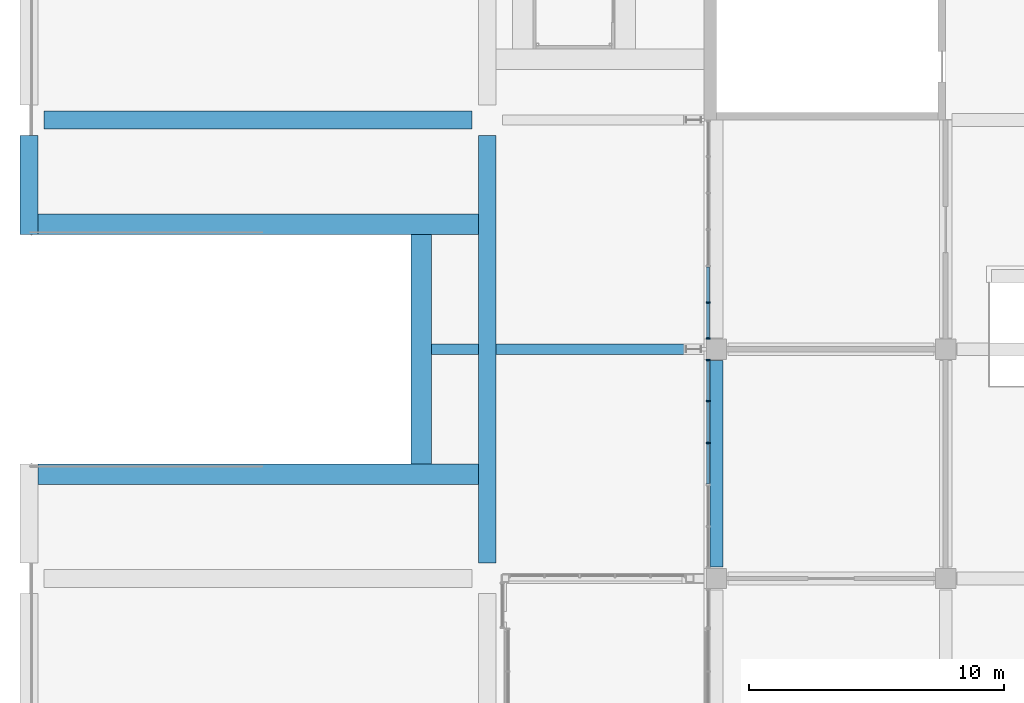
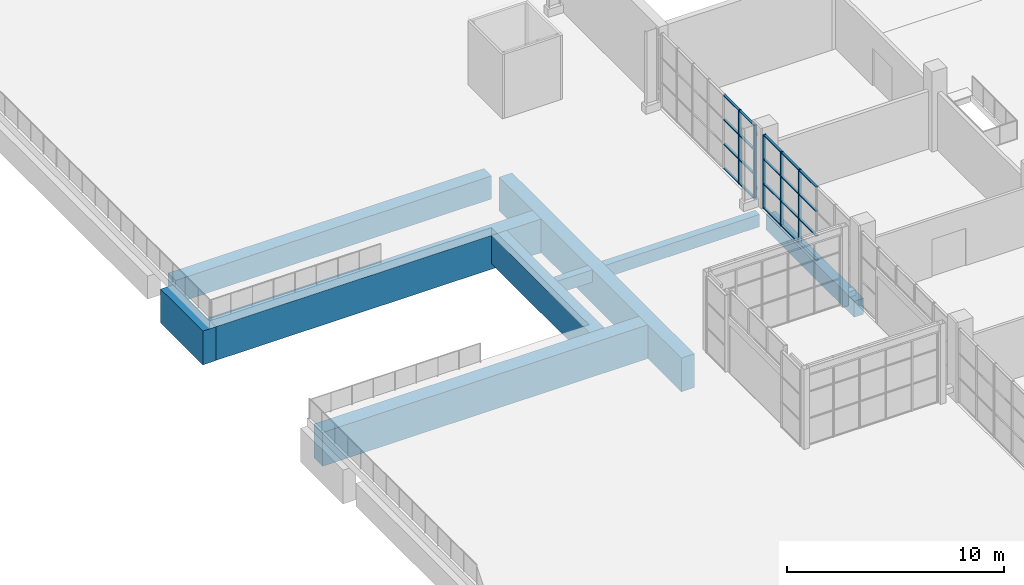
# One storey, part 40 of 168: 25 members, 9 beams, 2 elements without a shape of their own.
"""IFC4 building model written with IfcOpenShell, lengths in metres."""

import ifcopenshell
import ifcopenshell.guid

model = None  # the IFC model being written
_history = None  # IfcOwnerHistory: only IFC2X3 demands one
_inside = {}  # id of a spatial element -> (the spatial element, [elements in it])
_under = {}  # id of a project, library or spatial element -> (it, [spatial elements below it])
_declared = {}  # id of a project -> (the project, [libraries it declares])
_typed = {}  # id of a type object -> (the type object, [elements of that type])
_made_of = {}  # id of a material, layer set ... -> (it, [elements and type objects made of it])


def new_model(schema):
    """Start an empty IFC model of exactly this schema.

    Asked for "IFC4X3", IfcOpenShell would pick the latest addendum, in which some entities
    have other attributes; the version numbers below select the first issue.
    IFC2X3 requires an IfcOwnerHistory on every rooted entity: one is made here for all.
    """
    global model, _history
    if schema == "IFC4X3":
        model = ifcopenshell.file(schema_version=(4, 3, 0, 0))
    else:
        model = ifcopenshell.file(schema=schema)
    _inside.clear()
    _under.clear()
    _declared.clear()
    _typed.clear()
    _made_of.clear()
    _history = None
    if model.schema == "IFC2X3":
        org = make("IfcOrganization", Name="unknown")
        user = make(
            "IfcPersonAndOrganization",
            ThePerson=make("IfcPerson", FamilyName="unknown"),
            TheOrganization=org,
        )
        app = make(
            "IfcApplication",
            ApplicationDeveloper=org,
            Version="unknown",
            ApplicationFullName="unknown",
            ApplicationIdentifier="unknown",
        )
        _history = make(
            "IfcOwnerHistory",
            OwningUser=user,
            OwningApplication=app,
            ChangeAction="ADDED",
            CreationDate=0,
        )
    return model


def make(cls, **values):
    """One entity of the class cls with the attributes given. An attribute that is None is left unset."""
    return model.create_entity(
        cls, **{name: value for name, value in values.items() if value is not None}
    )


def rooted(cls, **values):
    """An entity with a GlobalId (a new one), such as an element, a storey or a relation."""
    return make(cls, GlobalId=ifcopenshell.guid.new(), OwnerHistory=_history, **values)


def si_unit(unit_type, name, prefix=None):
    """IfcSIUnit, for example si_unit("LENGTHUNIT", "METRE", prefix="MILLI")."""
    return make("IfcSIUnit", UnitType=unit_type, Prefix=prefix, Name=name)


def assignment(units):
    """IfcUnitAssignment: the units of a project."""
    return None if units is None else make("IfcUnitAssignment", Units=units)


def point(xyz):
    """IfcCartesianPoint."""
    return None if xyz is None else make("IfcCartesianPoint", Coordinates=xyz)


def direction(xyz):
    """IfcDirection."""
    return None if xyz is None else make("IfcDirection", DirectionRatios=xyz)


def frame(location, z_axis=None, x_axis=None):
    """IfcAxis2Placement3D, a coordinate frame: its origin and axes. An axis left out is left unset."""
    return make(
        "IfcAxis2Placement3D",
        Location=point(location),
        Axis=direction(z_axis),
        RefDirection=direction(x_axis),
    )


def frame_2d(location, x_axis=None):
    """IfcAxis2Placement2D, a coordinate frame in the plane: its origin and x axis."""
    return make(
        "IfcAxis2Placement2D", Location=point(location), RefDirection=direction(x_axis)
    )


def origin():
    """The frame at (0, 0, 0) with its axes left unset."""
    return frame((0.0, 0.0, 0.0))


def origin_2d():
    """The frame at (0, 0) in the plane with its x axis left unset."""
    return frame_2d((0.0, 0.0))


def place(relative_to, where):
    """IfcLocalPlacement: puts the frame where relative to a parent placement (None: the world)."""
    return make(
        "IfcLocalPlacement", PlacementRelTo=relative_to, RelativePlacement=where
    )


def context(
    kind, dimensions, precision=None, world=None, true_north=None, identifier=None
):
    """IfcGeometricRepresentationContext, for example the 3D "Model" context."""
    return make(
        "IfcGeometricRepresentationContext",
        ContextIdentifier=identifier,
        ContextType=kind,
        CoordinateSpaceDimension=dimensions,
        Precision=precision,
        WorldCoordinateSystem=world,
        TrueNorth=true_north,
    )


def subcontext(parent, identifier, kind, view, scale=None):
    """IfcGeometricRepresentationSubContext, for example "Body" below "Model"."""
    return make(
        "IfcGeometricRepresentationSubContext",
        ContextIdentifier=identifier,
        ContextType=kind,
        ParentContext=parent,
        TargetScale=scale,
        TargetView=view,
    )


def project(units=None, contexts=None):
    """IfcProject with its units and contexts."""
    return rooted(
        "IfcProject",
        Name="project",
        RepresentationContexts=contexts,
        UnitsInContext=assignment(units),
    )


def spatial(cls, under=None, at=None, **own):
    """A site, building, storey or space (cls), placed at a placement, below another one or the project."""
    s = rooted(cls, ObjectPlacement=at, **own)
    if under is not None:
        _under.setdefault(under.id(), (under, []))[1].append(s)
    return s


def profile(cls, at=None, kind="AREA", **sizes):
    """A parametric profile (cls). Its sizes go by their IFC names, for example OverallWidth=200.0."""
    return make(cls, ProfileType=kind, Position=at, **sizes)


def rectangle(**sizes):
    """IfcRectangleProfileDef."""
    return profile("IfcRectangleProfileDef", **sizes)


def extrude(swept, where, along, depth):
    """IfcExtrudedAreaSolid: the profile swept, set in the frame where, extruded along a direction by depth."""
    return make(
        "IfcExtrudedAreaSolid",
        SweptArea=swept,
        Position=where,
        ExtrudedDirection=direction(along),
        Depth=depth,
    )


def shape(context_of_items, identifier, shape_type, items):
    """IfcShapeRepresentation: the items that make up one representation, for example the "Body"."""
    return make(
        "IfcShapeRepresentation",
        ContextOfItems=context_of_items,
        RepresentationIdentifier=identifier,
        RepresentationType=shape_type,
        Items=items,
    )


def material(Name=None, Category=None):
    """IfcMaterial."""
    return make("IfcMaterial", Name=Name, Category=Category)


def material_profile(
    of_material, cross_section, Name=None, Category=None, Priority=None
):
    """IfcMaterialProfile: a cross section and its material."""
    return make(
        "IfcMaterialProfile",
        Name=Name,
        Material=of_material,
        Profile=cross_section,
        Priority=Priority,
        Category=Category,
    )


def profile_set(profiles, Name=None, composite=None):
    """IfcMaterialProfileSet."""
    return make(
        "IfcMaterialProfileSet",
        Name=Name,
        MaterialProfiles=profiles,
        CompositeProfile=composite,
    )


def made_of(thing, what):
    """Note that an element or type object is made of a material, layer set ...; save() writes the relation."""
    if what is not None:
        _made_of.setdefault(what.id(), (what, []))[1].append(thing)
    return thing


def type_object(cls, material=None, **own):
    """A type object (cls), such as IfcWallType, which elements share."""
    return made_of(rooted(cls, **own), material)


def element(
    cls,
    number,
    at=None,
    inside=None,
    cuts=None,
    type_object=None,
    material=None,
    context=None,
    identifier="Body",
    shape_type=None,
    held_by="IfcProductDefinitionShape",
    body=None,
    shapes=None,
    **own,
):
    """One element of the class cls, such as IfcWall. Its Tag is "e" and its number.

    at: its placement. inside: the storey or other place that contains it. cuts: it is an
    opening in that element (IfcRelVoidsElement). A single representation is given by context,
    identifier, shape_type and body (its items); several are given by shapes. held_by: the class
    of the entity that holds the representations. save() writes the other relations.
    """
    e = rooted(cls, Tag="e%d" % number, ObjectPlacement=at, **own)
    if body is not None:
        shapes = [shape(context, identifier, shape_type, body)]
    if shapes is not None:
        e.Representation = make(held_by, Representations=shapes)
    if inside is not None:
        _inside.setdefault(inside.id(), (inside, []))[1].append(e)
    if cuts is not None:
        rooted(
            "IfcRelVoidsElement", RelatingBuildingElement=cuts, RelatedOpeningElement=e
        )
    if type_object is not None:
        _typed.setdefault(type_object.id(), (type_object, []))[1].append(e)
    return made_of(e, material)


def aggregate(whole, parts):
    """IfcRelAggregates: a whole, such as a stair, and the parts it consists of."""
    return rooted("IfcRelAggregates", RelatingObject=whole, RelatedObjects=parts)


def save(model, path):
    """Write the relations noted so far, then the file.

    IfcRelAggregates (storeys below a building ...), IfcRelContainedInSpatialStructure (elements
    in a storey), IfcRelDefinesByType, IfcRelAssociatesMaterial and IfcRelDeclares: one each for
    every whole, place, type object, material and project.
    """
    for whole, parts in _under.values():
        aggregate(whole, parts)
    for where, things in _inside.values():
        rooted(
            "IfcRelContainedInSpatialStructure",
            RelatedElements=things,
            RelatingStructure=where,
        )
    for kind, things in _typed.values():
        rooted("IfcRelDefinesByType", RelatedObjects=things, RelatingType=kind)
    for what, things in _made_of.values():
        rooted("IfcRelAssociatesMaterial", RelatedObjects=things, RelatingMaterial=what)
    for by, libraries in _declared.values():
        rooted("IfcRelDeclares", RelatingContext=by, RelatedDefinitions=libraries)
    model.write(path)


model = new_model("IFC4")

# Units and contexts
model_context = context("Model", 3, precision=1e-05, world=origin(), true_north=direction((0.0, 1.0)))
body_context = subcontext(model_context, "Body", "Model", "MODEL_VIEW")
ifc_project = project(units=[si_unit("LENGTHUNIT", "METRE"), si_unit("AREAUNIT", "SQUARE_METRE"), si_unit("VOLUMEUNIT", "CUBIC_METRE"), si_unit("PLANEANGLEUNIT", "RADIAN"), si_unit("MASSUNIT", "GRAM", prefix="KILO")], contexts=[model_context])

# Site, building, storey
site_placement = place(None, origin())
site = spatial("IfcSite", under=ifc_project, at=site_placement, CompositionType="ELEMENT")
building_placement = place(site_placement, origin())
building = spatial("IfcBuilding", under=site, at=building_placement, Name="Silverbay Arena", CompositionType="ELEMENT")
storey_placement = place(building_placement, frame((0.0, 0.0, 7.0)))
storey = spatial("IfcBuildingStorey", under=building, at=storey_placement, Name="L01", CompositionType="ELEMENT", Elevation=7.0)

# Curtain wall, members
ifc_material_1 = material(Name="Aluminium framed curtain wall", Category="aluminium")
curtain_wall_type_1 = type_object("IfcCurtainWallType", Name="Curtain wall 8200 x 4150", PredefinedType="NOTDEFINED", material=ifc_material_1)
curtain_wall_1_placement = place(storey_placement, origin())
curtain_wall_1 = element("IfcCurtainWall", 1, at=curtain_wall_1_placement, inside=storey, type_object=curtain_wall_type_1, Name="West curtain wall L01 bay 11", PredefinedType="NOTDEFINED")
ifc_material_2 = material(Name="Aluminium", Category="aluminium")
ifc_material_profile_1 = material_profile(ifc_material_2, rectangle(XDim=0.159912109375, YDim=0.06005859375, at=origin_2d()), Name="Mullion 60 x 160")
ifc_profile_set_1 = profile_set([ifc_material_profile_1], Name="Aluminium")
member_type_1 = type_object("IfcMemberType", Name="Mullion 60 x 160", PredefinedType="MULLION", material=ifc_profile_set_1)
member_1_placement = place(storey_placement, frame((26.669921875, 116.570068359375, 0.0), z_axis=(0.0, 0.0, 1.0), x_axis=(1.0, 0.0, 0.0)))
member_1 = element("IfcMember", 2, at=member_1_placement, type_object=member_type_1, Name="CW7 mullion 1", PredefinedType="MULLION", context=body_context, shape_type="SweptSolid", body=[
    extrude(rectangle(XDim=0.159912109375, YDim=0.06005859375, at=origin_2d()), origin(), (0.0, 0.0, 1.0), 4.14990234375),
])
member_2_placement = place(storey_placement, frame((26.669921875, 114.9599609375, 0.0), z_axis=(0.0, 0.0, 1.0), x_axis=(1.0, 0.0, 0.0)))
member_2 = element("IfcMember", 3, at=member_2_placement, type_object=member_type_1, Name="CW7 mullion 2", PredefinedType="MULLION", context=body_context, shape_type="SweptSolid", body=[
    extrude(rectangle(XDim=0.159912109375, YDim=0.06005859375, at=origin_2d()), origin(), (0.0, 0.0, 1.0), 4.14990234375),
])
member_3_placement = place(storey_placement, frame((26.669921875, 113.320068359375, 0.0), z_axis=(0.0, 0.0, 1.0), x_axis=(1.0, 0.0, 0.0)))
member_3 = element("IfcMember", 4, at=member_3_placement, type_object=member_type_1, Name="CW7 mullion 3", PredefinedType="MULLION", context=body_context, shape_type="SweptSolid", body=[
    extrude(rectangle(XDim=0.159912109375, YDim=0.06005859375, at=origin_2d()), origin(), (0.0, 0.0, 1.0), 4.14990234375),
])

ifc_material_3 = material(Name="Aluminium framed curtain wall", Category="aluminium")
curtain_wall_type_2 = type_object("IfcCurtainWallType", Name="Curtain wall 8600 x 4150", PredefinedType="NOTDEFINED", material=ifc_material_3)
curtain_wall_2_placement = place(storey_placement, origin())
curtain_wall_2 = element("IfcCurtainWall", 5, at=curtain_wall_2_placement, inside=storey, type_object=curtain_wall_type_2, Name="West curtain wall L01 bay 12", PredefinedType="NOTDEFINED")
member_4_placement = place(storey_placement, frame((26.669921875, 118.833251953125, 0.0), z_axis=(0.0, 0.0, 1.0), x_axis=(1.0, 0.0, 0.0)))
member_4 = element("IfcMember", 6, at=member_4_placement, type_object=member_type_1, Name="CW6 mullion 6", PredefinedType="MULLION", context=body_context, shape_type="SweptSolid", body=[
    extrude(rectangle(XDim=0.159912109375, YDim=0.06005859375, at=origin_2d()), origin(), (0.0, 0.0, 1.0), 4.14990234375),
])
member_5_placement = place(storey_placement, frame((26.669921875, 117.429931640625, 0.0), z_axis=(0.0, 0.0, 1.0), x_axis=(1.0, 0.0, 0.0)))
member_5 = element("IfcMember", 7, at=member_5_placement, type_object=member_type_1, Name="CW6 mullion 7", PredefinedType="MULLION", context=body_context, shape_type="SweptSolid", body=[
    extrude(rectangle(XDim=0.159912109375, YDim=0.06005859375, at=origin_2d()), origin(), (0.0, 0.0, 1.0), 4.14990234375),
])

# Beams
ifc_material_4 = material(Name="Concrete Grade C45", Category="concrete")
ifc_material_profile_2 = material_profile(ifc_material_4, rectangle(XDim=0.39990234375, YDim=0.699951171875, at=origin_2d()), Name="RC 400x700")
ifc_profile_set_2 = profile_set([ifc_material_profile_2], Name="Concrete Grade C45")
beam_type_1 = type_object("IfcBeamType", Name="RC beam 400x700", PredefinedType="BEAM", material=ifc_profile_set_2)
beam_1_placement = place(storey_placement, frame((15.81005859375, 117.0, -0.800048828125), z_axis=(1.0, 0.0, 0.0), x_axis=(0.0, 1.0, 0.0)))
element("IfcBeam", 8, at=beam_1_placement, inside=storey, type_object=beam_type_1, Name="Deck row beam 089", PredefinedType="BEAM", context=body_context, shape_type="SweptSolid", body=[
    extrude(rectangle(XDim=0.39990234375, YDim=0.699951171875, at=origin_2d()), origin(), (0.0, 0.0, 1.0), 1.83984375),
])
beam_2_placement = place(storey_placement, frame((18.35009765625, 117.0, -0.800048828125), z_axis=(1.0, 0.0, 0.0), x_axis=(0.0, 1.0, 0.0)))
element("IfcBeam", 9, at=beam_2_placement, inside=storey, type_object=beam_type_1, Name="Deck row beam 090", PredefinedType="BEAM", context=body_context, shape_type="SweptSolid", body=[
    extrude(rectangle(XDim=0.39990234375, YDim=0.699951171875, at=origin_2d()), origin(), (0.0, 0.0, 1.0), 8.199951171875),
])
ifc_material_5 = material(Name="Concrete Grade C45", Category="concrete")
ifc_material_profile_3 = material_profile(ifc_material_5, rectangle(XDim=0.5, YDim=0.89990234375, at=origin_2d()), Name="RC 500x900")
ifc_profile_set_3 = profile_set([ifc_material_profile_3], Name="Concrete Grade C45")
beam_type_2 = type_object("IfcBeamType", Name="RC beam 500x900", PredefinedType="BEAM", material=ifc_profile_set_3)
beam_3_placement = place(storey_placement, frame((27.0, 108.449951171875, -0.800048828125), z_axis=(0.0, 1.0, 0.0), x_axis=(-1.0, 0.0, 0.0)))
element("IfcBeam", 10, at=beam_3_placement, inside=storey, type_object=beam_type_2, Name="Floor beam L01 189", PredefinedType="BEAM", context=body_context, shape_type="SweptSolid", body=[
    extrude(rectangle(XDim=0.5, YDim=0.89990234375, at=origin_2d()), origin(), (0.0, 0.0, 1.0), 8.10009765625),
])
ifc_material_6 = material(Name="Concrete Grade C45", Category="concrete")
ifc_material_profile_4 = material_profile(ifc_material_6, rectangle(XDim=0.699951171875, YDim=1.89990234375, at=origin_2d()), Name="RC 700x1900")
ifc_profile_set_4 = profile_set([ifc_material_profile_4], Name="Concrete Grade C45")
beam_type_3 = type_object("IfcBeamType", Name="RC deck edge girder 700x1900", PredefinedType="BEAM", material=ifc_profile_set_4)
beam_4_placement = place(storey_placement, frame((0.0, 121.5, -1.39990234375), z_axis=(0.0, 1.0, 0.0), x_axis=(-1.0, 0.0, 0.0)))
element("IfcBeam", 11, at=beam_4_placement, inside=storey, type_object=beam_type_3, Name="Deck girder 139", PredefinedType="BEAM", context=body_context, shape_type="SweptSolid", body=[
    extrude(rectangle(XDim=0.699951171875, YDim=1.89990234375, at=origin_2d()), origin(), (0.0, 0.0, 1.0), 3.89990234375),
])
ifc_material_7 = material(Name="Concrete Grade C45", Category="concrete")
ifc_material_profile_5 = material_profile(ifc_material_7, rectangle(XDim=0.699951171875, YDim=1.300048828125, at=origin_2d()), Name="RC 700x1300")
ifc_profile_set_5 = profile_set([ifc_material_profile_5], Name="Concrete Grade C45")
beam_type_4 = type_object("IfcBeamType", Name="RC girder 700x1300", PredefinedType="BEAM", material=ifc_profile_set_5)
beam_5_placement = place(storey_placement, frame((0.60009765625, 126.0, -1.10009765625), z_axis=(1.0, 0.0, 0.0), x_axis=(0.0, 1.0, 0.0)))
element("IfcBeam", 12, at=beam_5_placement, inside=storey, type_object=beam_type_4, Name="Deck row beam 091", PredefinedType="BEAM", context=body_context, shape_type="SweptSolid", body=[
    extrude(rectangle(XDim=0.699951171875, YDim=1.300048828125, at=origin_2d()), origin(), (0.0, 0.0, 1.0), 16.7998046875),
])
ifc_material_8 = material(Name="Concrete Grade C45", Category="concrete")
ifc_material_profile_6 = material_profile(ifc_material_8, rectangle(XDim=0.699951171875, YDim=1.89990234375, at=origin_2d()), Name="RC 700x1900")
ifc_profile_set_6 = profile_set([ifc_material_profile_6], Name="Concrete Grade C45")
beam_type_5 = type_object("IfcBeamType", Name="RC girder 700x1900", PredefinedType="BEAM", material=ifc_profile_set_6)
beam_6_placement = place(storey_placement, frame((18.0, 108.60009765625, -1.39990234375), z_axis=(0.0, 1.0, 0.0), x_axis=(-1.0, 0.0, 0.0)))
element("IfcBeam", 13, at=beam_6_placement, inside=storey, type_object=beam_type_5, Name="Deck girder 139", PredefinedType="BEAM", context=body_context, shape_type="SweptSolid", body=[
    extrude(rectangle(XDim=0.699951171875, YDim=1.89990234375, at=origin_2d()), origin(), (0.0, 0.0, 1.0), 16.7998046875),
])
ifc_material_9 = material(Name="Concrete Grade C45", Category="concrete")
ifc_material_profile_7 = material_profile(ifc_material_9, rectangle(XDim=0.800048828125, YDim=1.60009765625, at=origin_2d()), Name="RC 800x1600")
ifc_profile_set_7 = profile_set([ifc_material_profile_7], Name="Concrete Grade C45")
beam_type_6 = type_object("IfcBeamType", Name="RC trimmer beam 800x1600", PredefinedType="BEAM", material=ifc_profile_set_7)
beam_7_placement = place(storey_placement, frame((15.409912109375, 112.489990234375, -1.25), z_axis=(0.0, 1.0, 0.0), x_axis=(-1.0, 0.0, 0.0)))
element("IfcBeam", 14, at=beam_7_placement, inside=storey, type_object=beam_type_6, Name="Deck head trimmer 052", PredefinedType="BEAM", context=body_context, shape_type="SweptSolid", body=[
    extrude(rectangle(XDim=0.800048828125, YDim=1.60009765625, at=origin_2d()), origin(), (0.0, 0.0, 1.0), 9.02001953125),
])
ifc_material_10 = material(Name="Concrete Grade C45", Category="concrete")
ifc_material_profile_8 = material_profile(ifc_material_10, rectangle(XDim=0.800048828125, YDim=1.89990234375, at=origin_2d()), Name="RC 800x1900")
ifc_profile_set_8 = profile_set([ifc_material_profile_8], Name="Concrete Grade C45")
beam_type_7 = type_object("IfcBeamType", Name="RC trimmer girder 800x1900", PredefinedType="BEAM", material=ifc_profile_set_8)
for number, where, z_axis, x_axis, name in (
    (15, (0.35009765625, 112.090087890625, -1.39990234375), (1.0, 0.0, 0.0), (0.0, 1.0, 0.0), "Deck trimmer 050"),
    (16, (0.35009765625, 121.909912109375, -1.39990234375), (1.0, 0.0, 0.0), (0.0, 1.0, 0.0), "Deck trimmer 051"),
):
    element("IfcBeam", number, at=place(storey_placement, frame(where, z_axis=z_axis, x_axis=x_axis)), inside=storey, type_object=beam_type_7, Name=name, PredefinedType="BEAM", context=body_context, shape_type="SweptSolid", body=[
        extrude(rectangle(XDim=0.800048828125, YDim=1.89990234375, at=origin_2d()), origin(), (0.0, 0.0, 1.0), 17.2998046875),
    ])

# Member
ifc_material_11 = material(Name="Aluminium", Category="aluminium")
ifc_material_profile_9 = material_profile(ifc_material_11, rectangle(XDim=0.1201171875, YDim=0.050048828125, at=origin_2d()), Name="Transom 50 x 120")
ifc_profile_set_9 = profile_set([ifc_material_profile_9], Name="Aluminium")
member_type_2 = type_object("IfcMemberType", Name="Transom 50 x 120", PredefinedType="USERDEFINED", material=ifc_profile_set_9)
member_6_placement = place(storey_placement, frame((26.669921875, 116.5400390625, 0.02490234375), z_axis=(0.0, -1.0, 0.0), x_axis=(1.0, 0.0, 0.0)))
member_6 = element("IfcMember", 17, at=member_6_placement, type_object=member_type_2, Name="CW7 transom 1.1", ObjectType="TRANSOM", PredefinedType="USERDEFINED", context=body_context, shape_type="SweptSolid", body=[
    extrude(rectangle(XDim=0.1201171875, YDim=0.050048828125, at=origin_2d()), origin(), (0.0, 0.0, 1.0), 1.550048828125),
])

member_7_placement = place(storey_placement, frame((26.669921875, 116.5400390625, 1.38330078125), z_axis=(0.0, -1.0, 0.0), x_axis=(1.0, 0.0, 0.0)))
member_7 = element("IfcMember", 18, at=member_7_placement, type_object=member_type_2, Name="CW7 transom 1.2", ObjectType="TRANSOM", PredefinedType="USERDEFINED", context=body_context, shape_type="SweptSolid", body=[
    extrude(rectangle(XDim=0.1201171875, YDim=0.050048828125, at=origin_2d()), origin(), (0.0, 0.0, 1.0), 1.550048828125),
])

member_8_placement = place(storey_placement, frame((26.669921875, 116.5400390625, 2.7666015625), z_axis=(0.0, -1.0, 0.0), x_axis=(1.0, 0.0, 0.0)))
member_8 = element("IfcMember", 19, at=member_8_placement, type_object=member_type_2, Name="CW7 transom 1.3", ObjectType="TRANSOM", PredefinedType="USERDEFINED", context=body_context, shape_type="SweptSolid", body=[
    extrude(rectangle(XDim=0.1201171875, YDim=0.050048828125, at=origin_2d()), origin(), (0.0, 0.0, 1.0), 1.550048828125),
])

member_9_placement = place(storey_placement, frame((26.669921875, 116.5400390625, 4.125), z_axis=(0.0, -1.0, 0.0), x_axis=(1.0, 0.0, 0.0)))
member_9 = element("IfcMember", 20, at=member_9_placement, type_object=member_type_2, Name="CW7 transom 1.4", ObjectType="TRANSOM", PredefinedType="USERDEFINED", context=body_context, shape_type="SweptSolid", body=[
    extrude(rectangle(XDim=0.1201171875, YDim=0.050048828125, at=origin_2d()), origin(), (0.0, 0.0, 1.0), 1.550048828125),
])

member_10_placement = place(storey_placement, frame((26.669921875, 114.929931640625, 0.02490234375), z_axis=(0.0, -1.0, 0.0), x_axis=(1.0, 0.0, 0.0)))
member_10 = element("IfcMember", 21, at=member_10_placement, type_object=member_type_2, Name="CW7 transom 2.1", ObjectType="TRANSOM", PredefinedType="USERDEFINED", context=body_context, shape_type="SweptSolid", body=[
    extrude(rectangle(XDim=0.1201171875, YDim=0.050048828125, at=origin_2d()), origin(), (0.0, 0.0, 1.0), 1.579833984375),
])

member_11_placement = place(storey_placement, frame((26.669921875, 114.929931640625, 1.38330078125), z_axis=(0.0, -1.0, 0.0), x_axis=(1.0, 0.0, 0.0)))
member_11 = element("IfcMember", 22, at=member_11_placement, type_object=member_type_2, Name="CW7 transom 2.2", ObjectType="TRANSOM", PredefinedType="USERDEFINED", context=body_context, shape_type="SweptSolid", body=[
    extrude(rectangle(XDim=0.1201171875, YDim=0.050048828125, at=origin_2d()), origin(), (0.0, 0.0, 1.0), 1.579833984375),
])

member_12_placement = place(storey_placement, frame((26.669921875, 114.929931640625, 2.7666015625), z_axis=(0.0, -1.0, 0.0), x_axis=(1.0, 0.0, 0.0)))
member_12 = element("IfcMember", 23, at=member_12_placement, type_object=member_type_2, Name="CW7 transom 2.3", ObjectType="TRANSOM", PredefinedType="USERDEFINED", context=body_context, shape_type="SweptSolid", body=[
    extrude(rectangle(XDim=0.1201171875, YDim=0.050048828125, at=origin_2d()), origin(), (0.0, 0.0, 1.0), 1.579833984375),
])

member_13_placement = place(storey_placement, frame((26.669921875, 114.929931640625, 4.125), z_axis=(0.0, -1.0, 0.0), x_axis=(1.0, 0.0, 0.0)))
member_13 = element("IfcMember", 24, at=member_13_placement, type_object=member_type_2, Name="CW7 transom 2.4", ObjectType="TRANSOM", PredefinedType="USERDEFINED", context=body_context, shape_type="SweptSolid", body=[
    extrude(rectangle(XDim=0.1201171875, YDim=0.050048828125, at=origin_2d()), origin(), (0.0, 0.0, 1.0), 1.579833984375),
])

member_14_placement = place(storey_placement, frame((26.669921875, 113.2900390625, 0.02490234375), z_axis=(0.0, -1.0, 0.0), x_axis=(1.0, 0.0, 0.0)))
member_14 = element("IfcMember", 25, at=member_14_placement, type_object=member_type_2, Name="CW7 transom 3.1", ObjectType="TRANSOM", PredefinedType="USERDEFINED", context=body_context, shape_type="SweptSolid", body=[
    extrude(rectangle(XDim=0.1201171875, YDim=0.050048828125, at=origin_2d()), origin(), (0.0, 0.0, 1.0), 1.580078125),
])

member_15_placement = place(storey_placement, frame((26.669921875, 113.2900390625, 1.38330078125), z_axis=(0.0, -1.0, 0.0), x_axis=(1.0, 0.0, 0.0)))
member_15 = element("IfcMember", 26, at=member_15_placement, type_object=member_type_2, Name="CW7 transom 3.2", ObjectType="TRANSOM", PredefinedType="USERDEFINED", context=body_context, shape_type="SweptSolid", body=[
    extrude(rectangle(XDim=0.1201171875, YDim=0.050048828125, at=origin_2d()), origin(), (0.0, 0.0, 1.0), 1.580078125),
])

member_16_placement = place(storey_placement, frame((26.669921875, 113.2900390625, 2.7666015625), z_axis=(0.0, -1.0, 0.0), x_axis=(1.0, 0.0, 0.0)))
member_16 = element("IfcMember", 27, at=member_16_placement, type_object=member_type_2, Name="CW7 transom 3.3", ObjectType="TRANSOM", PredefinedType="USERDEFINED", context=body_context, shape_type="SweptSolid", body=[
    extrude(rectangle(XDim=0.1201171875, YDim=0.050048828125, at=origin_2d()), origin(), (0.0, 0.0, 1.0), 1.580078125),
])

member_17_placement = place(storey_placement, frame((26.669921875, 113.2900390625, 4.125), z_axis=(0.0, -1.0, 0.0), x_axis=(1.0, 0.0, 0.0)))
member_17 = element("IfcMember", 28, at=member_17_placement, type_object=member_type_2, Name="CW7 transom 3.4", ObjectType="TRANSOM", PredefinedType="USERDEFINED", context=body_context, shape_type="SweptSolid", body=[
    extrude(rectangle(XDim=0.1201171875, YDim=0.050048828125, at=origin_2d()), origin(), (0.0, 0.0, 1.0), 1.580078125),
])

aggregate(curtain_wall_1, [member_1, member_2, member_3, member_6, member_7, member_8, member_9, member_10, member_11, member_12, member_13, member_14, member_15, member_16, member_17])

member_18_placement = place(storey_placement, frame((26.669921875, 120.236572265625, 0.02490234375), z_axis=(0.0, -1.0, 0.0), x_axis=(1.0, 0.0, 0.0)))
member_18 = element("IfcMember", 29, at=member_18_placement, type_object=member_type_2, Name="CW6 transom 5.1", ObjectType="TRANSOM", PredefinedType="USERDEFINED", context=body_context, shape_type="SweptSolid", body=[
    extrude(rectangle(XDim=0.1201171875, YDim=0.050048828125, at=origin_2d()), origin(), (0.0, 0.0, 1.0), 1.373291015625),
])

member_19_placement = place(storey_placement, frame((26.669921875, 120.236572265625, 1.38330078125), z_axis=(0.0, -1.0, 0.0), x_axis=(1.0, 0.0, 0.0)))
member_19 = element("IfcMember", 30, at=member_19_placement, type_object=member_type_2, Name="CW6 transom 5.2", ObjectType="TRANSOM", PredefinedType="USERDEFINED", context=body_context, shape_type="SweptSolid", body=[
    extrude(rectangle(XDim=0.1201171875, YDim=0.050048828125, at=origin_2d()), origin(), (0.0, 0.0, 1.0), 1.373291015625),
])

member_20_placement = place(storey_placement, frame((26.669921875, 120.236572265625, 2.7666015625), z_axis=(0.0, -1.0, 0.0), x_axis=(1.0, 0.0, 0.0)))
member_20 = element("IfcMember", 31, at=member_20_placement, type_object=member_type_2, Name="CW6 transom 5.3", ObjectType="TRANSOM", PredefinedType="USERDEFINED", context=body_context, shape_type="SweptSolid", body=[
    extrude(rectangle(XDim=0.1201171875, YDim=0.050048828125, at=origin_2d()), origin(), (0.0, 0.0, 1.0), 1.373291015625),
])

member_21_placement = place(storey_placement, frame((26.669921875, 120.236572265625, 4.125), z_axis=(0.0, -1.0, 0.0), x_axis=(1.0, 0.0, 0.0)))
member_21 = element("IfcMember", 32, at=member_21_placement, type_object=member_type_2, Name="CW6 transom 5.4", ObjectType="TRANSOM", PredefinedType="USERDEFINED", context=body_context, shape_type="SweptSolid", body=[
    extrude(rectangle(XDim=0.1201171875, YDim=0.050048828125, at=origin_2d()), origin(), (0.0, 0.0, 1.0), 1.373291015625),
])

member_22_placement = place(storey_placement, frame((26.669921875, 118.80322265625, 0.02490234375), z_axis=(0.0, -1.0, 0.0), x_axis=(1.0, 0.0, 0.0)))
member_22 = element("IfcMember", 33, at=member_22_placement, type_object=member_type_2, Name="CW6 transom 6.1", ObjectType="TRANSOM", PredefinedType="USERDEFINED", context=body_context, shape_type="SweptSolid", body=[
    extrude(rectangle(XDim=0.1201171875, YDim=0.050048828125, at=origin_2d()), origin(), (0.0, 0.0, 1.0), 1.34326171875),
])

member_23_placement = place(storey_placement, frame((26.669921875, 118.80322265625, 1.38330078125), z_axis=(0.0, -1.0, 0.0), x_axis=(1.0, 0.0, 0.0)))
member_23 = element("IfcMember", 34, at=member_23_placement, type_object=member_type_2, Name="CW6 transom 6.2", ObjectType="TRANSOM", PredefinedType="USERDEFINED", context=body_context, shape_type="SweptSolid", body=[
    extrude(rectangle(XDim=0.1201171875, YDim=0.050048828125, at=origin_2d()), origin(), (0.0, 0.0, 1.0), 1.34326171875),
])

member_24_placement = place(storey_placement, frame((26.669921875, 118.80322265625, 2.7666015625), z_axis=(0.0, -1.0, 0.0), x_axis=(1.0, 0.0, 0.0)))
member_24 = element("IfcMember", 35, at=member_24_placement, type_object=member_type_2, Name="CW6 transom 6.3", ObjectType="TRANSOM", PredefinedType="USERDEFINED", context=body_context, shape_type="SweptSolid", body=[
    extrude(rectangle(XDim=0.1201171875, YDim=0.050048828125, at=origin_2d()), origin(), (0.0, 0.0, 1.0), 1.34326171875),
])

member_25_placement = place(storey_placement, frame((26.669921875, 118.80322265625, 4.125), z_axis=(0.0, -1.0, 0.0), x_axis=(1.0, 0.0, 0.0)))
member_25 = element("IfcMember", 36, at=member_25_placement, type_object=member_type_2, Name="CW6 transom 6.4", ObjectType="TRANSOM", PredefinedType="USERDEFINED", context=body_context, shape_type="SweptSolid", body=[
    extrude(rectangle(XDim=0.1201171875, YDim=0.050048828125, at=origin_2d()), origin(), (0.0, 0.0, 1.0), 1.34326171875),
])

aggregate(curtain_wall_2, [member_4, member_5, member_18, member_19, member_20, member_21, member_22, member_23, member_24, member_25])

save(model, "model.ifc")
